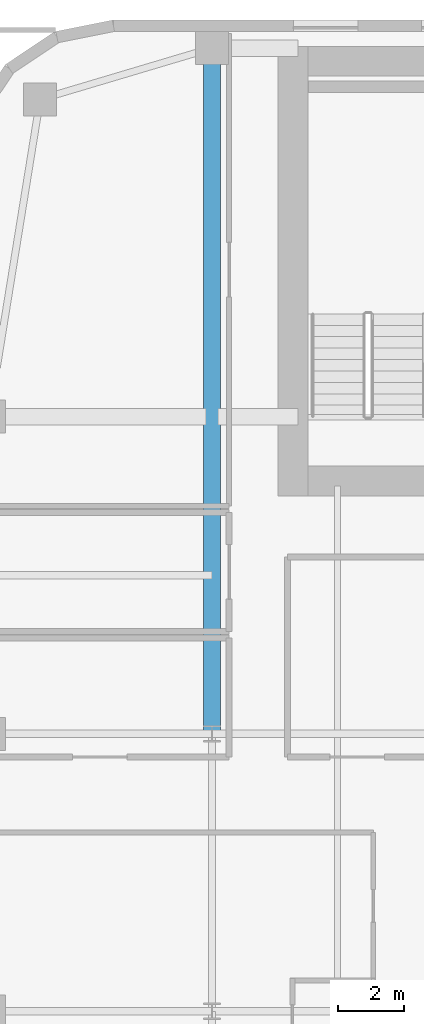
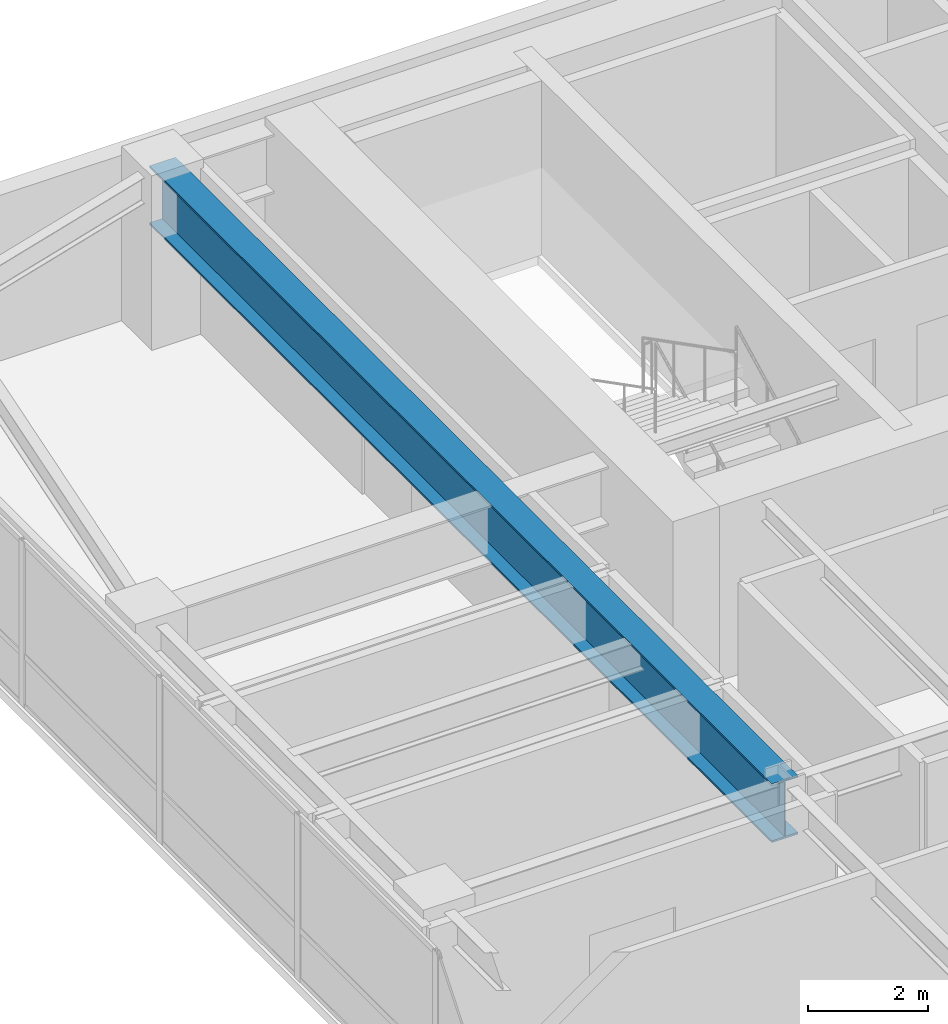
# One storey, part 18 of 30: 1 beam.
"""IFC4 building model written with IfcOpenShell, lengths in metres."""

from ifc_helpers import new_model, si_unit, direction, frame, origin, origin_2d, place, context, subcontext, project, spatial, i_section, extrude, source, transform, mapped, material, material_profile, profile_set, type_object, type_shapes, element, save


model = new_model("IFC4")

# Units and contexts
model_context = context("Model", 3, precision=1e-05, world=origin(), true_north=direction((0.0, 1.0)))
body_context = subcontext(model_context, "Body", "Model", "MODEL_VIEW")
ifc_project = project(units=[si_unit("LENGTHUNIT", "METRE"), si_unit("AREAUNIT", "SQUARE_METRE"), si_unit("VOLUMEUNIT", "CUBIC_METRE"), si_unit("PLANEANGLEUNIT", "RADIAN"), si_unit("MASSUNIT", "GRAM", prefix="KILO")], contexts=[model_context])

# Site, building, storey
site_placement = place(None, origin())
site = spatial("IfcSite", under=ifc_project, at=site_placement, CompositionType="ELEMENT")
building_placement = place(site_placement, origin())
building = spatial("IfcBuilding", under=site, at=building_placement, Name="Tolvann Quenvar Hotel", CompositionType="ELEMENT")
storey_placement = place(building_placement, frame((0.0, 0.0, 56.85009765625)))
storey = spatial("IfcBuildingStorey", under=building, at=storey_placement, Name="L13", CompositionType="ELEMENT", Elevation=56.85009765625)

# Beam
ifc_material = material(Name="Steel Grade 350", Category="steel")
ifc_material_profile = material_profile(ifc_material, i_section(OverallWidth=0.5, OverallDepth=1.199951171875, WebThickness=0.01611328125, FlangeThickness=0.0400390625, at=origin_2d()), Name="1200WB455")
ifc_profile_set = profile_set([ifc_material_profile], Name="Steel Grade 350")
beam_type = type_object("IfcBeamType", Name="BM_TG_1200WB455", PredefinedType="USERDEFINED", material=ifc_profile_set)
shared_shape = source(origin(), body_context, "Body", "SweptSolid", [
    extrude(i_section(OverallWidth=0.5, OverallDepth=1.199951171875, WebThickness=0.01611328125, FlangeThickness=0.0400390625, at=origin_2d()), origin(), (0.0, 0.0, 1.0), 20.75),
])
type_shapes(beam_type, [shared_shape])
beam_placement = place(storey_placement, frame((7.60009765625, 24.39990234375, 2.77001953125), z_axis=(0.0, 1.0, 0.0), x_axis=(-1.0, 0.0, 0.0)))
element("IfcBeam", 1, at=beam_placement, inside=storey, type_object=beam_type, Name="BM-L13-FLK-WC", ObjectType="TRANSFER GIRDER", PredefinedType="USERDEFINED", context=body_context, shape_type="MappedRepresentation", body=[
    mapped(shared_shape, transform((0.0, 0.0, 0.0), x_axis=(1.0, 0.0, 0.0), y_axis=(0.0, 1.0, 0.0), z_axis=(0.0, 0.0, 1.0), scale=1.0)),
])

save(model, "model.ifc")
